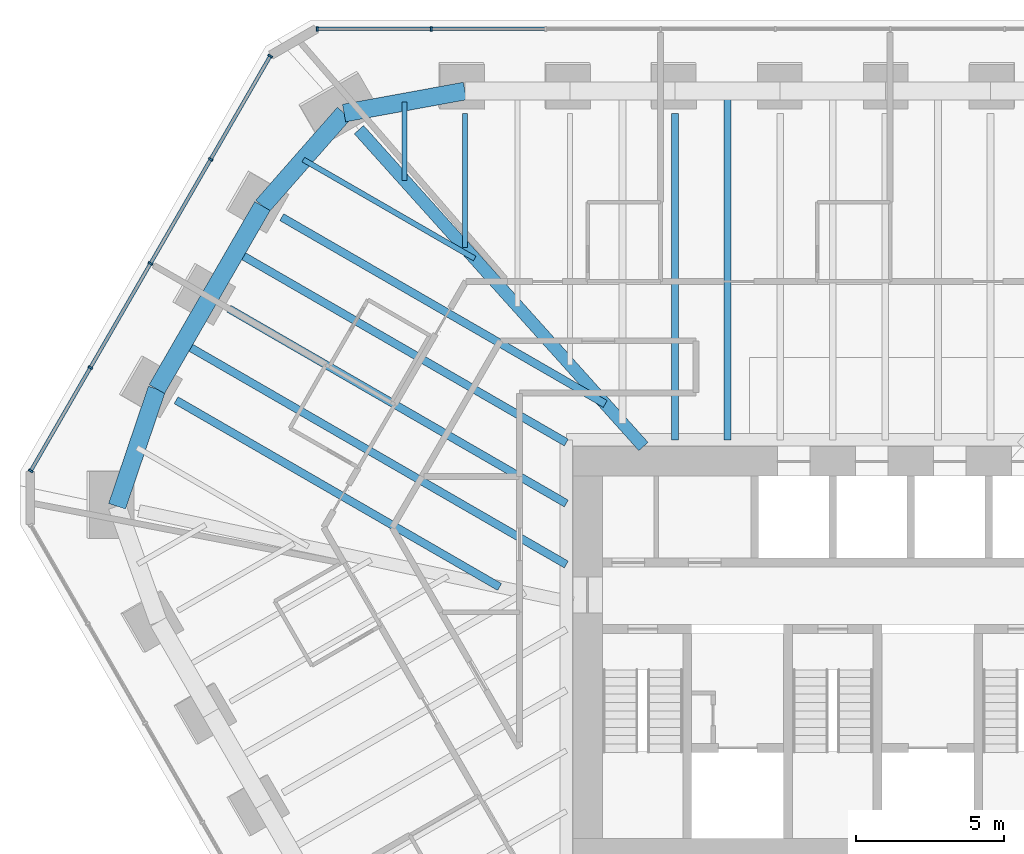
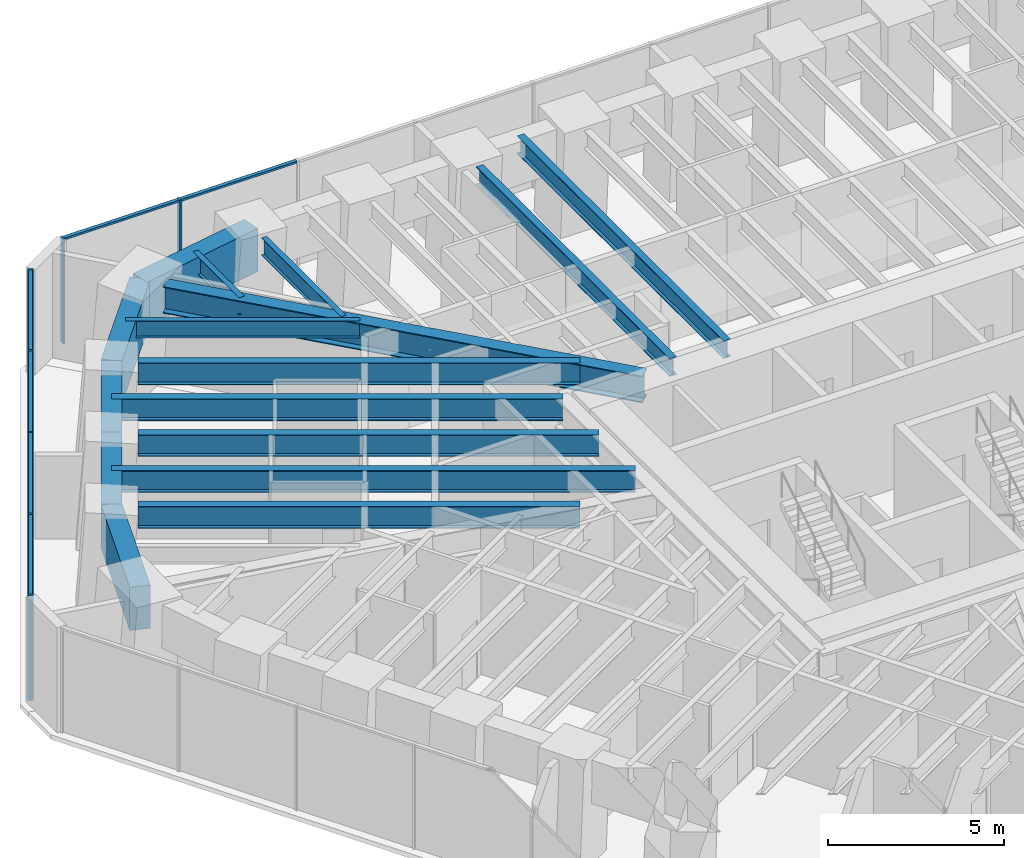
# One storey, part 7 of 16: 16 beams, 13 members, 2 elements without a shape of their own.
"""IFC4 building model written with IfcOpenShell, lengths in metres."""

from ifc_helpers import new_model, si_unit, direction, frame, origin, origin_2d, place, context, subcontext, project, spatial, rectangle, i_section, extrude, material, material_profile, profile_set, type_object, element, aggregate, save


model = new_model("IFC4")

# Units and contexts
model_context = context("Model", 3, precision=1e-05, world=origin(), true_north=direction((0.0, 1.0)))
body_context = subcontext(model_context, "Body", "Model", "MODEL_VIEW")
ifc_project = project(units=[si_unit("LENGTHUNIT", "METRE"), si_unit("AREAUNIT", "SQUARE_METRE"), si_unit("VOLUMEUNIT", "CUBIC_METRE"), si_unit("PLANEANGLEUNIT", "RADIAN"), si_unit("MASSUNIT", "GRAM", prefix="KILO")], contexts=[model_context])

# Site, building, storey
site_placement = place(None, origin())
site = spatial("IfcSite", under=ifc_project, at=site_placement, CompositionType="ELEMENT")
building_placement = place(site_placement, origin())
building = spatial("IfcBuilding", under=site, at=building_placement, Name="Sandreach Pilgrim Tower", CompositionType="ELEMENT")
storey_placement = place(building_placement, frame((0.0, 0.0, 244.0)))
storey = spatial("IfcBuildingStorey", under=building, at=storey_placement, Name="L61", CompositionType="ELEMENT", Elevation=244.0)

# Curtain wall, members
ifc_material_1 = material(Name="Aluminium framed curtain wall", Category="aluminium")
curtain_wall_type = type_object("IfcCurtainWallType", Name="Upper hotel tower curtain wall", PredefinedType="NOTDEFINED", material=ifc_material_1)
curtain_wall_1_placement = place(storey_placement, origin())
curtain_wall_1 = element("IfcCurtainWall", 1, at=curtain_wall_1_placement, inside=storey, type_object=curtain_wall_type, Name="CW-3 L61 N", PredefinedType="NOTDEFINED")
ifc_material_2 = material(Name="Aluminium extrusion", Category="aluminium")
ifc_material_profile_1 = material_profile(ifc_material_2, rectangle(XDim=0.06494140625, YDim=0.159912109375, at=origin_2d()), Name="CW-3M 65X160")
ifc_profile_set_1 = profile_set([ifc_material_profile_1], Name="Aluminium extrusion")
member_type_1 = type_object("IfcMemberType", Name="CW-3 mullion", PredefinedType="MULLION", material=ifc_profile_set_1)
member_1_placement = place(storey_placement, frame((-17.357421875, 21.16015625, 0.0), z_axis=(0.0, 0.0, 1.0), x_axis=(1.0, 0.0, 0.0)))
member_1 = element("IfcMember", 2, at=member_1_placement, type_object=member_type_1, Name="CW-3 mullion 1", PredefinedType="MULLION", context=body_context, shape_type="SweptSolid", body=[
    extrude(rectangle(XDim=0.06494140625, YDim=0.159912109375, at=origin_2d()), origin(), (0.0, 0.0, 1.0), 3.639892578125),
])
member_2_placement = place(storey_placement, frame((-13.525390625, 21.16015625, 0.0), z_axis=(0.0, 0.0, 1.0), x_axis=(1.0, 0.0, 0.0)))
member_2 = element("IfcMember", 3, at=member_2_placement, type_object=member_type_1, Name="CW-3 mullion 2", PredefinedType="MULLION", context=body_context, shape_type="SweptSolid", body=[
    extrude(rectangle(XDim=0.06494140625, YDim=0.159912109375, at=origin_2d()), origin(), (0.0, 0.0, 1.0), 3.639892578125),
])

curtain_wall_2_placement = place(storey_placement, origin())
curtain_wall_2 = element("IfcCurtainWall", 4, at=curtain_wall_2_placement, inside=storey, type_object=curtain_wall_type, Name="CW-3 L61 NW", PredefinedType="NOTDEFINED")
member_3_placement = place(storey_placement, frame((-27.00390625, 6.278076171875, 0.0), z_axis=(0.0, 0.0, 1.0), x_axis=(0.5, 0.866025403784, 0.0)))
member_3 = element("IfcMember", 5, at=member_3_placement, type_object=member_type_1, Name="CW-3 mullion 1", PredefinedType="MULLION", context=body_context, shape_type="SweptSolid", body=[
    extrude(rectangle(XDim=0.06494140625, YDim=0.159912109375, at=origin_2d()), origin(), (0.0, 0.0, 1.0), 3.639892578125),
])
member_4_placement = place(storey_placement, frame((-24.995849609375, 9.75634765625, 0.0), z_axis=(0.0, 0.0, 1.0), x_axis=(0.5, 0.866025403784, 0.0)))
member_4 = element("IfcMember", 6, at=member_4_placement, type_object=member_type_1, Name="CW-3 mullion 2", PredefinedType="MULLION", context=body_context, shape_type="SweptSolid", body=[
    extrude(rectangle(XDim=0.06494140625, YDim=0.159912109375, at=origin_2d()), origin(), (0.0, 0.0, 1.0), 3.639892578125),
])
member_5_placement = place(storey_placement, frame((-22.971435546875, 13.262451171875, 0.0), z_axis=(0.0, 0.0, 1.0), x_axis=(0.5, 0.866025403784, 0.0)))
member_5 = element("IfcMember", 7, at=member_5_placement, type_object=member_type_1, Name="CW-3 mullion 3", PredefinedType="MULLION", context=body_context, shape_type="SweptSolid", body=[
    extrude(rectangle(XDim=0.06494140625, YDim=0.159912109375, at=origin_2d()), origin(), (0.0, 0.0, 1.0), 3.639892578125),
])
member_6_placement = place(storey_placement, frame((-20.947021484375, 16.768798828125, 0.0), z_axis=(0.0, 0.0, 1.0), x_axis=(0.5, 0.866025403784, 0.0)))
member_6 = element("IfcMember", 8, at=member_6_placement, type_object=member_type_1, Name="CW-3 mullion 4", PredefinedType="MULLION", context=body_context, shape_type="SweptSolid", body=[
    extrude(rectangle(XDim=0.06494140625, YDim=0.159912109375, at=origin_2d()), origin(), (0.0, 0.0, 1.0), 3.639892578125),
])
member_7_placement = place(storey_placement, frame((-18.93896484375, 20.2470703125, 0.0), z_axis=(0.0, 0.0, 1.0), x_axis=(0.5, 0.866025403784, 0.0)))
member_7 = element("IfcMember", 9, at=member_7_placement, type_object=member_type_1, Name="CW-3 mullion 5", PredefinedType="MULLION", context=body_context, shape_type="SweptSolid", body=[
    extrude(rectangle(XDim=0.06494140625, YDim=0.159912109375, at=origin_2d()), origin(), (0.0, 0.0, 1.0), 3.639892578125),
])

# Member
ifc_material_3 = material(Name="Aluminium extrusion", Category="aluminium")
ifc_material_profile_2 = material_profile(ifc_material_3, rectangle(XDim=0.1201171875, YDim=0.070068359375, at=origin_2d()), Name="CW-3T 120X70")
ifc_profile_set_2 = profile_set([ifc_material_profile_2], Name="Aluminium extrusion")
member_type_2 = type_object("IfcMemberType", Name="CW-3 transom", PredefinedType="USERDEFINED", material=ifc_profile_set_2)
member_8_placement = place(storey_placement, frame((-17.324951171875, 21.16015625, 3.60498046875), z_axis=(1.0, 0.0, 0.0), x_axis=(0.0, 1.0, 0.0)))
member_8 = element("IfcMember", 10, at=member_8_placement, type_object=member_type_2, Name="CW-3 head transom 1", ObjectType="TRANSOM", PredefinedType="USERDEFINED", context=body_context, shape_type="SweptSolid", body=[
    extrude(rectangle(XDim=0.1201171875, YDim=0.070068359375, at=origin_2d()), origin(), (0.0, 0.0, 1.0), 3.76708984375),
])

member_9_placement = place(storey_placement, frame((-13.492919921875, 21.16015625, 3.60498046875), z_axis=(1.0, 0.0, 0.0), x_axis=(0.0, 1.0, 0.0)))
member_9 = element("IfcMember", 11, at=member_9_placement, type_object=member_type_2, Name="CW-3 head transom 2", ObjectType="TRANSOM", PredefinedType="USERDEFINED", context=body_context, shape_type="SweptSolid", body=[
    extrude(rectangle(XDim=0.1201171875, YDim=0.070068359375, at=origin_2d()), origin(), (0.0, 0.0, 1.0), 3.79931640625),
])

aggregate(curtain_wall_1, [member_1, member_2, member_8, member_9])

member_10_placement = place(storey_placement, frame((-26.987548828125, 6.306396484375, 3.60498046875), z_axis=(0.499993448556, 0.866029186229, 0.0), x_axis=(-0.866029186229, 0.499993448556, 0.0)))
member_10 = element("IfcMember", 12, at=member_10_placement, type_object=member_type_2, Name="CW-3 head transom 1", ObjectType="TRANSOM", PredefinedType="USERDEFINED", context=body_context, shape_type="SweptSolid", body=[
    extrude(rectangle(XDim=0.1201171875, YDim=0.070068359375, at=origin_2d()), origin(), (0.0, 0.0, 1.0), 3.951171875),
])

member_11_placement = place(storey_placement, frame((-24.9794921875, 9.784423828125, 3.60498046875), z_axis=(0.499975332564, 0.866039645067, 0.0), x_axis=(-0.866039645067, 0.499975332564, 0.0)))
member_11 = element("IfcMember", 13, at=member_11_placement, type_object=member_type_2, Name="CW-3 head transom 2", ObjectType="TRANSOM", PredefinedType="USERDEFINED", context=body_context, shape_type="SweptSolid", body=[
    extrude(rectangle(XDim=0.1201171875, YDim=0.070068359375, at=origin_2d()), origin(), (0.0, 0.0, 1.0), 3.983642578125),
])

member_12_placement = place(storey_placement, frame((-22.955078125, 13.290771484375, 3.60498046875), z_axis=(0.499975332564, 0.866039645067, 0.0), x_axis=(-0.866039645067, 0.499975332564, 0.0)))
member_12 = element("IfcMember", 14, at=member_12_placement, type_object=member_type_2, Name="CW-3 head transom 3", ObjectType="TRANSOM", PredefinedType="USERDEFINED", context=body_context, shape_type="SweptSolid", body=[
    extrude(rectangle(XDim=0.1201171875, YDim=0.070068359375, at=origin_2d()), origin(), (0.0, 0.0, 1.0), 3.983642578125),
])

member_13_placement = place(storey_placement, frame((-20.930908203125, 16.796875, 3.60498046875), z_axis=(0.499993448556, 0.866029186229, 0.0), x_axis=(-0.866029186229, 0.499993448556, 0.0)))
member_13 = element("IfcMember", 15, at=member_13_placement, type_object=member_type_2, Name="CW-3 head transom 4", ObjectType="TRANSOM", PredefinedType="USERDEFINED", context=body_context, shape_type="SweptSolid", body=[
    extrude(rectangle(XDim=0.1201171875, YDim=0.070068359375, at=origin_2d()), origin(), (0.0, 0.0, 1.0), 3.951171875),
])

aggregate(curtain_wall_2, [member_3, member_4, member_5, member_6, member_7, member_10, member_11, member_12, member_13])

# Beams
ifc_material_4 = material(Name="Steel ASTM A992 Grade 50", Category="steel")
ifc_material_profile_3 = material_profile(ifc_material_4, i_section(OverallWidth=0.419189453125, OverallDepth=0.927001953125, WebThickness=0.019287109375, FlangeThickness=0.031982421875, at=origin_2d()), Name="W36X231")
ifc_profile_set_3 = profile_set([ifc_material_profile_3], Name="Steel ASTM A992 Grade 50")
beam_type_1 = type_object("IfcBeamType", Name="Corner girder W36X231", PredefinedType="BEAM", material=ifc_profile_set_3)
beam_1_placement = place(storey_placement, frame((-15.95361328125, 17.766845703125, 3.176513671875), z_axis=(0.668118446956, -0.74405493133, 0.0), x_axis=(0.74405493133, 0.668118446956, 0.0)))
element("IfcBeam", 16, at=beam_1_placement, inside=storey, type_object=beam_type_1, Name="BM L61 CG39", PredefinedType="BEAM", context=body_context, shape_type="SweptSolid", body=[
    extrude(i_section(OverallWidth=0.419189453125, OverallDepth=0.927001953125, WebThickness=0.019287109375, FlangeThickness=0.031982421875, at=origin_2d()), origin(), (0.0, 0.0, 1.0), 14.3359375),
])
ifc_material_5 = material(Name="Steel ASTM A992 Grade 50", Category="steel")
ifc_material_profile_4 = material_profile(ifc_material_5, i_section(OverallWidth=0.1787109375, OverallDepth=0.60205078125, WebThickness=0.010986328125, FlangeThickness=0.014892578125, at=origin_2d()), Name="W24X62")
ifc_profile_set_4 = profile_set([ifc_material_profile_4], Name="Steel ASTM A992 Grade 50")
beam_type_2 = type_object("IfcBeamType", Name="Floor beam W24X62", PredefinedType="BEAM", material=ifc_profile_set_4)
beam_2_placement = place(storey_placement, frame((-12.38427734375, 18.3193359375, 3.339111328125), z_axis=(0.0, -1.0, 0.0), x_axis=(1.0, 0.0, 0.0)))
element("IfcBeam", 17, at=beam_2_placement, inside=storey, type_object=beam_type_2, Name="BM L61 F01", PredefinedType="BEAM", context=body_context, shape_type="SweptSolid", body=[
    extrude(i_section(OverallWidth=0.1787109375, OverallDepth=0.60205078125, WebThickness=0.010986328125, FlangeThickness=0.014892578125, at=origin_2d()), origin(), (0.0, 0.0, 1.0), 4.527587890625),
])
beam_3_placement = place(storey_placement, frame((-17.828369140625, 16.759765625, 3.339111328125), z_axis=(0.866031839316, -0.499988853166, 0.0), x_axis=(0.499988853166, 0.866031839316, 0.0)))
element("IfcBeam", 18, at=beam_3_placement, inside=storey, type_object=beam_type_2, Name="BM L61 FM38", PredefinedType="BEAM", context=body_context, shape_type="SweptSolid", body=[
    extrude(i_section(OverallWidth=0.1787109375, OverallDepth=0.60205078125, WebThickness=0.010986328125, FlangeThickness=0.014892578125, at=origin_2d()), origin(), (0.0, 0.0, 1.0), 6.663818359375),
])
beam_4_placement = place(storey_placement, frame((-14.41943359375, 18.697021484375, 3.339111328125), z_axis=(0.0, -1.0, 0.0), x_axis=(1.0, 0.0, 0.0)))
element("IfcBeam", 19, at=beam_4_placement, inside=storey, type_object=beam_type_2, Name="BM L61 FM39", PredefinedType="BEAM", context=body_context, shape_type="SweptSolid", body=[
    extrude(i_section(OverallWidth=0.1787109375, OverallDepth=0.60205078125, WebThickness=0.010986328125, FlangeThickness=0.014892578125, at=origin_2d()), origin(), (0.0, 0.0, 1.0), 2.638671875),
])
ifc_material_6 = material(Name="Steel ASTM A992 Grade 50", Category="steel")
ifc_material_profile_5 = material_profile(ifc_material_6, i_section(OverallWidth=0.23046875, OverallDepth=0.6171875, WebThickness=0.01318359375, FlangeThickness=0.022216796875, at=origin_2d()), Name="W24X94")
ifc_profile_set_5 = profile_set([ifc_material_profile_5], Name="Steel ASTM A992 Grade 50")
beam_type_3 = type_object("IfcBeamType", Name="Floor beam W24X94", PredefinedType="BEAM", material=ifc_profile_set_5)
beam_5_placement = place(storey_placement, frame((-5.3076171875, 18.3193359375, 3.331298828125), z_axis=(0.0, -1.0, 0.0), x_axis=(1.0, 0.0, 0.0)))
element("IfcBeam", 20, at=beam_5_placement, inside=storey, type_object=beam_type_3, Name="BM L61 F03", PredefinedType="BEAM", context=body_context, shape_type="SweptSolid", body=[
    extrude(i_section(OverallWidth=0.23046875, OverallDepth=0.6171875, WebThickness=0.01318359375, FlangeThickness=0.022216796875, at=origin_2d()), origin(), (0.0, 0.0, 1.0), 10.997314453125),
])
beam_6_placement = place(storey_placement, frame((-3.538330078125, 19.0693359375, 3.331298828125), z_axis=(0.0, -1.0, 0.0), x_axis=(1.0, 0.0, 0.0)))
element("IfcBeam", 21, at=beam_6_placement, inside=storey, type_object=beam_type_3, Name="BM L61 FM03", PredefinedType="BEAM", context=body_context, shape_type="SweptSolid", body=[
    extrude(i_section(OverallWidth=0.23046875, OverallDepth=0.6171875, WebThickness=0.01318359375, FlangeThickness=0.022216796875, at=origin_2d()), origin(), (0.0, 0.0, 1.0), 11.747314453125),
])
ifc_material_7 = material(Name="Steel ASTM A992 Grade 50", Category="steel")
ifc_material_profile_6 = material_profile(ifc_material_7, i_section(OverallWidth=0.2666015625, OverallDepth=0.761962890625, WebThickness=0.014404296875, FlangeThickness=0.021484375, at=origin_2d()), Name="W30X116")
ifc_profile_set_6 = profile_set([ifc_material_profile_6], Name="Steel ASTM A992 Grade 50")
beam_type_4 = type_object("IfcBeamType", Name="Floor beam W30X116", PredefinedType="BEAM", material=ifc_profile_set_6)
beam_7_placement = place(storey_placement, frame((-22.1103515625, 8.656982421875, 3.259033203125), z_axis=(0.866024604508, -0.500001384384, 0.0), x_axis=(0.500001384384, 0.866024604508, 0.0)))
element("IfcBeam", 22, at=beam_7_placement, inside=storey, type_object=beam_type_4, Name="BM L61 F36", PredefinedType="BEAM", context=body_context, shape_type="SweptSolid", body=[
    extrude(i_section(OverallWidth=0.2666015625, OverallDepth=0.761962890625, WebThickness=0.014404296875, FlangeThickness=0.021484375, at=origin_2d()), origin(), (0.0, 0.0, 1.0), 12.5771484375),
])
beam_8_placement = place(storey_placement, frame((-20.331298828125, 11.73828125, 3.259033203125), z_axis=(0.866020374227, -0.500008711348, 0.0), x_axis=(0.500008711348, 0.866020374227, 0.0)))
element("IfcBeam", 23, at=beam_8_placement, inside=storey, type_object=beam_type_4, Name="BM L61 F37", PredefinedType="BEAM", context=body_context, shape_type="SweptSolid", body=[
    extrude(i_section(OverallWidth=0.2666015625, OverallDepth=0.761962890625, WebThickness=0.014404296875, FlangeThickness=0.021484375, at=origin_2d()), origin(), (0.0, 0.0, 1.0), 13.116455078125),
])
beam_9_placement = place(storey_placement, frame((-18.552490234375, 14.819580078125, 3.259033203125), z_axis=(0.866024604508, -0.500001384384, 0.0), x_axis=(0.500001384384, 0.866024604508, 0.0)))
element("IfcBeam", 24, at=beam_9_placement, inside=storey, type_object=beam_type_4, Name="BM L61 F38", PredefinedType="BEAM", context=body_context, shape_type="SweptSolid", body=[
    extrude(i_section(OverallWidth=0.2666015625, OverallDepth=0.761962890625, WebThickness=0.014404296875, FlangeThickness=0.021484375, at=origin_2d()), origin(), (0.0, 0.0, 1.0), 12.5771484375),
])
beam_10_placement = place(storey_placement, frame((-21.870361328125, 10.57275390625, 3.259033203125), z_axis=(0.866025347508, -0.500000097474, 0.0), x_axis=(0.500000097474, 0.866025347508, 0.0)))
element("IfcBeam", 25, at=beam_10_placement, inside=storey, type_object=beam_type_4, Name="BM L61 FM36", PredefinedType="BEAM", context=body_context, shape_type="SweptSolid", body=[
    extrude(i_section(OverallWidth=0.2666015625, OverallDepth=0.761962890625, WebThickness=0.014404296875, FlangeThickness=0.021484375, at=origin_2d()), origin(), (0.0, 0.0, 1.0), 14.8935546875),
])
beam_11_placement = place(storey_placement, frame((-20.09130859375, 13.65380859375, 3.259033203125), z_axis=(0.86602409181, -0.500002272399, 0.0), x_axis=(0.500002272399, 0.86602409181, 0.0)))
element("IfcBeam", 26, at=beam_11_placement, inside=storey, type_object=beam_type_4, Name="BM L61 FM37", PredefinedType="BEAM", context=body_context, shape_type="SweptSolid", body=[
    extrude(i_section(OverallWidth=0.2666015625, OverallDepth=0.761962890625, WebThickness=0.014404296875, FlangeThickness=0.021484375, at=origin_2d()), origin(), (0.0, 0.0, 1.0), 12.83935546875),
])
ifc_material_8 = material(Name="Concrete 10000 psi", Category="concrete")
ifc_material_profile_7 = material_profile(ifc_material_8, rectangle(XDim=0.60009765625, YDim=1.5, at=origin_2d()), Name="RC600X1500")
ifc_profile_set_7 = profile_set([ifc_material_profile_7], Name="Concrete 10000 psi")
beam_type_5 = type_object("IfcBeamType", Name="Spandrel beam RC600X1500", PredefinedType="SPANDREL", material=ifc_profile_set_7)
beam_12_placement = place(storey_placement, frame((-24.09716796875, 5.087646484375, 2.889892578125), z_axis=(0.321112353248, 0.947041106073, 0.0), x_axis=(-0.947041106073, 0.321112353248, 0.0)))
element("IfcBeam", 27, at=beam_12_placement, inside=storey, type_object=beam_type_5, Name="BM L61 SP35", PredefinedType="SPANDREL", context=body_context, shape_type="SweptSolid", body=[
    extrude(rectangle(XDim=0.60009765625, YDim=1.5, at=origin_2d()), origin(), (0.0, 0.0, 1.0), 4.164794921875),
])
beam_13_placement = place(storey_placement, frame((-22.759765625, 9.031982421875, 2.889892578125), z_axis=(0.499962031597, 0.866047323742, 0.0), x_axis=(-0.866047323742, 0.499962031597, 0.0)))
element("IfcBeam", 28, at=beam_13_placement, inside=storey, type_object=beam_type_5, Name="BM L61 SP36", PredefinedType="SPANDREL", context=body_context, shape_type="SweptSolid", body=[
    extrude(rectangle(XDim=0.60009765625, YDim=1.5, at=origin_2d()), origin(), (0.0, 0.0, 1.0), 3.557861328125),
])
beam_14_placement = place(storey_placement, frame((-20.98095703125, 12.11328125, 2.889892578125), z_axis=(0.500013496215, 0.866017611601, 0.0), x_axis=(-0.866017611601, 0.500013496215, 0.0)))
element("IfcBeam", 29, at=beam_14_placement, inside=storey, type_object=beam_type_5, Name="BM L61 SP37", PredefinedType="SPANDREL", context=body_context, shape_type="SweptSolid", body=[
    extrude(rectangle(XDim=0.60009765625, YDim=1.5, at=origin_2d()), origin(), (0.0, 0.0, 1.0), 3.55810546875),
])
beam_15_placement = place(storey_placement, frame((-19.201904296875, 15.194580078125, 2.889892578125), z_axis=(0.65962435689, 0.751595441575, 0.0), x_axis=(-0.751595441575, 0.65962435689, 0.0)))
element("IfcBeam", 30, at=beam_15_placement, inside=storey, type_object=beam_type_5, Name="BM L61 SP38", PredefinedType="SPANDREL", context=body_context, shape_type="SweptSolid", body=[
    extrude(rectangle(XDim=0.60009765625, YDim=1.5, at=origin_2d()), origin(), (0.0, 0.0, 1.0), 4.1650390625),
])
beam_16_placement = place(storey_placement, frame((-16.45458984375, 18.324951171875, 2.889892578125), z_axis=(0.98368530216, 0.179897821874, 0.0), x_axis=(-0.179897821874, 0.98368530216, 0.0)))
element("IfcBeam", 31, at=beam_16_placement, inside=storey, type_object=beam_type_5, Name="BM L61 SP39", PredefinedType="SPANDREL", context=body_context, shape_type="SweptSolid", body=[
    extrude(rectangle(XDim=0.60009765625, YDim=1.5, at=origin_2d()), origin(), (0.0, 0.0, 1.0), 4.137939453125),
])

save(model, "model.ifc")
